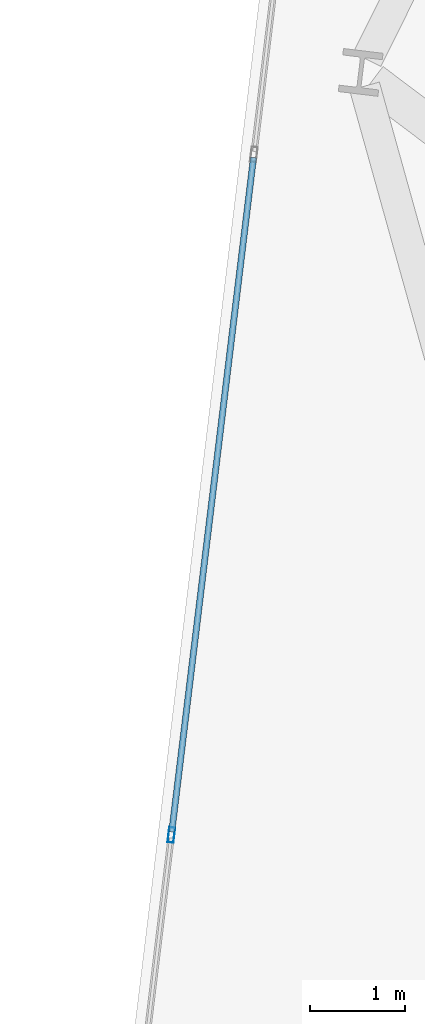
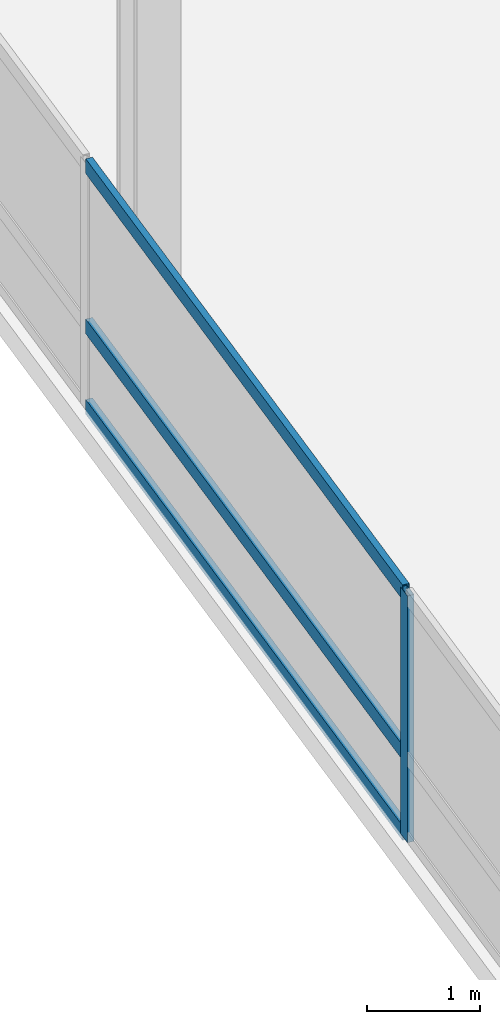
# One storey, part 6 of 26: 4 members, 1 element without a shape of its own.
"""IFC4 building model written with IfcOpenShell, lengths in metres."""

from ifc_helpers import new_model, si_unit, direction, frame, origin, origin_2d, place, context, subcontext, project, spatial, hollow_rectangle, extrude, material, layer, layer_set, material_profile, profile_set, type_object, element, aggregate, save


model = new_model("IFC4")

# Units and contexts
model_context = context("Model", 3, precision=1e-05, world=origin(), true_north=direction((0.0, 1.0)))
body_context = subcontext(model_context, "Body", "Model", "MODEL_VIEW")
ifc_project = project(units=[si_unit("LENGTHUNIT", "METRE"), si_unit("AREAUNIT", "SQUARE_METRE"), si_unit("VOLUMEUNIT", "CUBIC_METRE"), si_unit("PLANEANGLEUNIT", "RADIAN"), si_unit("MASSUNIT", "GRAM", prefix="KILO")], contexts=[model_context])

# Site, building, storey
site_placement = place(None, origin())
site = spatial("IfcSite", under=ifc_project, at=site_placement, CompositionType="ELEMENT")
building_placement = place(site_placement, origin())
building = spatial("IfcBuilding", under=site, at=building_placement, Name="Varnelok Gate Tower", CompositionType="ELEMENT")
storey_placement = place(building_placement, frame((0.0, 0.0, 158.699951171875)))
storey = spatial("IfcBuildingStorey", under=building, at=storey_placement, Name="L40", CompositionType="ELEMENT", Elevation=158.699951171875)

# Curtain wall, members
ifc_material = material(Name="Anodized Aluminum Alloy 6063-T6", Category="aluminium")
ifc_layer = layer(ifc_material, 0.179931640625)
ifc_layer_set = layer_set([ifc_layer], Name="Anodized Aluminum Alloy 6063-T6")
curtain_wall_type = type_object("IfcCurtainWallType", Name="CW3-HOTEL-VISION", PredefinedType="USERDEFINED", material=ifc_layer_set)
curtain_wall_placement = place(storey_placement, origin())
curtain_wall = element("IfcCurtainWall", 1, at=curtain_wall_placement, inside=storey, type_object=curtain_wall_type, Name="L40 West End Vision Curtain Wall", ObjectType="UNITISED CURTAIN WALL", PredefinedType="USERDEFINED")
ifc_material_profile_1 = material_profile(ifc_material, hollow_rectangle(XDim=0.06494140625, YDim=0.159912109375, WallThickness=0.00390625, at=origin_2d()), Name="ALU160X65X4")
ifc_profile_set_1 = profile_set([ifc_material_profile_1], Name="Anodized Aluminum Alloy 6063-T6")
member_type_1 = type_object("IfcMemberType", Name="CW-MULL-160", PredefinedType="MULLION", material=ifc_profile_set_1)
member_1_placement = place(storey_placement, frame((1.97607421875, 26.186279296875, 0.0), z_axis=(0.0, 0.0, 1.0), x_axis=(-0.99273188146, 0.120347046212, 0.0)))
member_1 = element("IfcMember", 2, at=member_1_placement, type_object=member_type_1, Name="CW3 mullion 3", PredefinedType="MULLION", context=body_context, shape_type="SweptSolid", body=[
    extrude(hollow_rectangle(XDim=0.06494140625, YDim=0.159912109375, WallThickness=0.00390625, at=origin_2d()), origin(), (0.0, 0.0, 1.0), 2.66015625),
])
ifc_material_profile_2 = material_profile(ifc_material, hollow_rectangle(XDim=0.06494140625, YDim=0.159912109375, WallThickness=0.00390625, at=origin_2d()), Name="ALU160X65X4")
ifc_profile_set_2 = profile_set([ifc_material_profile_2], Name="Anodized Aluminum Alloy 6063-T6")
member_type_2 = type_object("IfcMemberType", Name="CW-TRAN-160", PredefinedType="USERDEFINED", material=ifc_profile_set_2)
member_2_placement = place(storey_placement, frame((1.97998046875, 26.218505859375, 0.032470703125), z_axis=(0.120344652138, 0.992732171687, 0.0), x_axis=(-0.992732171687, 0.120344652138, 0.0)))
member_2 = element("IfcMember", 3, at=member_2_placement, type_object=member_type_2, Name="CW3 transom 3.1", ObjectType="TRANSOM", PredefinedType="USERDEFINED", context=body_context, shape_type="SweptSolid", body=[
    extrude(hollow_rectangle(XDim=0.06494140625, YDim=0.159912109375, WallThickness=0.00390625, at=origin_2d()), origin(), (0.0, 0.0, 1.0), 7.134765625),
])
member_3_placement = place(storey_placement, frame((1.97998046875, 26.218505859375, 0.900146484375), z_axis=(0.120344652138, 0.992732171687, 0.0), x_axis=(-0.992732171687, 0.120344652138, 0.0)))
member_3 = element("IfcMember", 4, at=member_3_placement, type_object=member_type_2, Name="CW3 transom 3.2", ObjectType="TRANSOM", PredefinedType="USERDEFINED", context=body_context, shape_type="SweptSolid", body=[
    extrude(hollow_rectangle(XDim=0.06494140625, YDim=0.159912109375, WallThickness=0.00390625, at=origin_2d()), origin(), (0.0, 0.0, 1.0), 7.134765625),
])
member_4_placement = place(storey_placement, frame((1.97998046875, 26.218505859375, 2.62744140625), z_axis=(0.120344652138, 0.992732171687, 0.0), x_axis=(-0.992732171687, 0.120344652138, 0.0)))
member_4 = element("IfcMember", 5, at=member_4_placement, type_object=member_type_2, Name="CW3 transom 3.3", ObjectType="TRANSOM", PredefinedType="USERDEFINED", context=body_context, shape_type="SweptSolid", body=[
    extrude(hollow_rectangle(XDim=0.06494140625, YDim=0.159912109375, WallThickness=0.00390625, at=origin_2d()), origin(), (0.0, 0.0, 1.0), 7.134765625),
])
aggregate(curtain_wall, [member_1, member_2, member_3, member_4])

save(model, "model.ifc")
